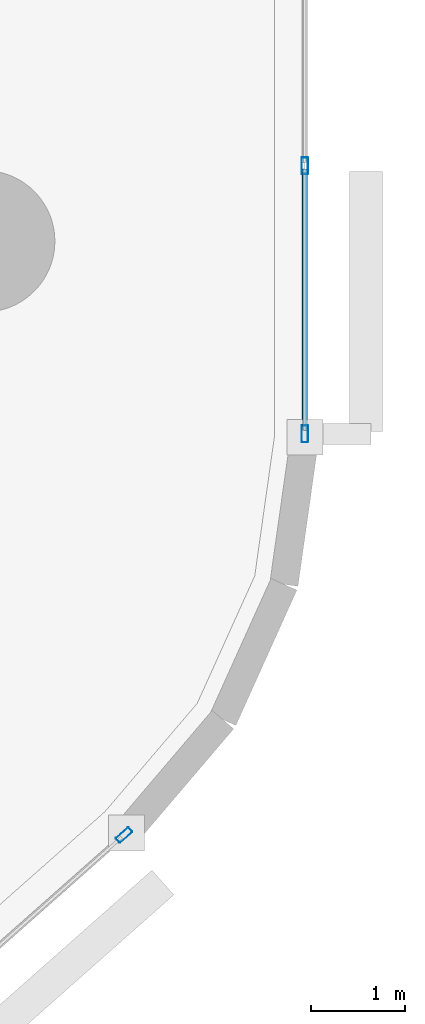
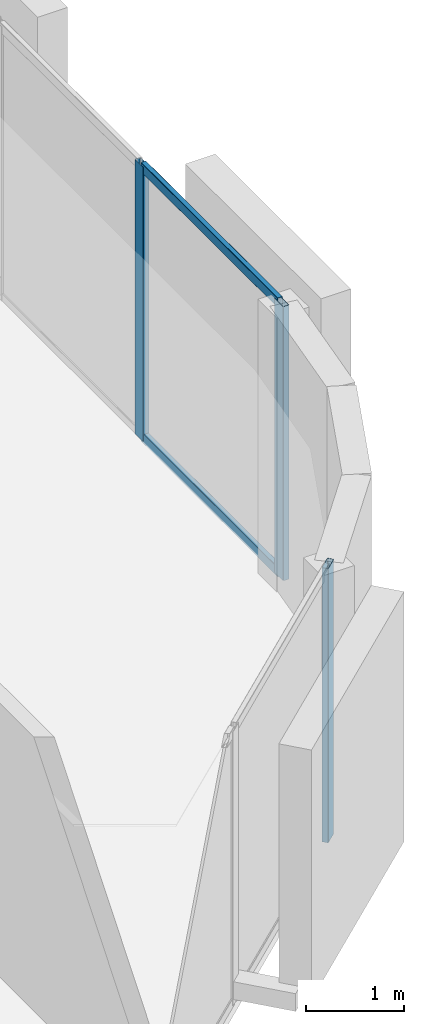
# One storey, part 4 of 15: 5 members, 2 elements without a shape of their own.
"""IFC4 building model written with IfcOpenShell, lengths in metres."""

from ifc_helpers import new_model, si_unit, direction, frame, origin, origin_2d, place, context, subcontext, project, spatial, hollow_rectangle, extrude, material, layer, layer_set, material_profile, profile_set, type_object, element, aggregate, save


model = new_model("IFC4")

# Units and contexts
model_context = context("Model", 3, precision=1e-05, world=origin(), true_north=direction((0.0, 1.0)))
body_context = subcontext(model_context, "Body", "Model", "MODEL_VIEW")
ifc_project = project(units=[si_unit("LENGTHUNIT", "METRE"), si_unit("AREAUNIT", "SQUARE_METRE"), si_unit("VOLUMEUNIT", "CUBIC_METRE"), si_unit("PLANEANGLEUNIT", "RADIAN"), si_unit("MASSUNIT", "GRAM", prefix="KILO")], contexts=[model_context])

# Site, building, storey
site_placement = place(None, origin())
site = spatial("IfcSite", under=ifc_project, at=site_placement, CompositionType="ELEMENT")
building_placement = place(site_placement, origin())
building = spatial("IfcBuilding", under=site, at=building_placement, Name="An Khanh Terracotta Commons", CompositionType="ELEMENT")
storey_placement = place(building_placement, frame((0.0, 0.0, 61.199951171875)))
storey = spatial("IfcBuildingStorey", under=building, at=storey_placement, Name="L16", CompositionType="ELEMENT", Elevation=61.199951171875)

# Curtain wall, member
ifc_material = material(Name="Anodised Aluminium 6063-T6", Category="aluminium")
ifc_layer = layer(ifc_material, 0.199951171875, Name="Anodised Aluminium 6063-T6")
ifc_layer_set = layer_set([ifc_layer], Name="Anodised Aluminium 6063-T6")
curtain_wall_type = type_object("IfcCurtainWallType", Name="CW-SYS-02", PredefinedType="USERDEFINED", material=ifc_layer_set)
curtain_wall_1_placement = place(storey_placement, origin())
curtain_wall_1 = element("IfcCurtainWall", 1, at=curtain_wall_1_placement, inside=storey, type_object=curtain_wall_type, Name="L16 CW-02 Unitised Curtain Wall CW-L16-08", ObjectType="UNITISED CURTAIN WALL", PredefinedType="USERDEFINED")
ifc_material_profile_1 = material_profile(ifc_material, hollow_rectangle(XDim=0.070068359375, YDim=0.179931640625, WallThickness=0.00390625, InnerFilletRadius=0.00390625, OuterFilletRadius=0.008056640625, at=origin_2d()), Name="RHS180x70x4")
ifc_profile_set_1 = profile_set([ifc_material_profile_1], Name="Anodised Aluminium 6063-T6")
member_type_1 = type_object("IfcMemberType", Name="CWM-RHS180x70x4", PredefinedType="MULLION", material=ifc_profile_set_1)
member_1_placement = place(storey_placement, frame((49.683837890625, 9.704833984375, 0.0), z_axis=(0.0, 0.0, 1.0), x_axis=(-0.662548195415, 0.749019284633, 0.0)))
member_1 = element("IfcMember", 2, at=member_1_placement, type_object=member_type_1, Name="CW-02 mullion 4", PredefinedType="MULLION", context=body_context, shape_type="SweptSolid", body=[
    extrude(hollow_rectangle(XDim=0.070068359375, YDim=0.179931640625, WallThickness=0.00390625, InnerFilletRadius=0.00390625, OuterFilletRadius=0.008056640625, at=origin_2d()), origin(), (0.0, 0.0, 1.0), 3.400146484375),
])
aggregate(curtain_wall_1, [member_1])

# Curtain wall, members
curtain_wall_2_placement = place(storey_placement, origin())
curtain_wall_2 = element("IfcCurtainWall", 3, at=curtain_wall_2_placement, inside=storey, type_object=curtain_wall_type, Name="L16 CW-02 Unitised Curtain Wall CW-L16-12", ObjectType="UNITISED CURTAIN WALL", PredefinedType="USERDEFINED")
member_2_placement = place(storey_placement, frame((51.60009765625, 13.9580078125, 0.0), z_axis=(0.0, 0.0, 1.0), x_axis=(-1.0, 0.0, 0.0)))
member_2 = element("IfcMember", 4, at=member_2_placement, type_object=member_type_1, Name="CW-02 mullion 1", PredefinedType="MULLION", context=body_context, shape_type="SweptSolid", body=[
    extrude(hollow_rectangle(XDim=0.070068359375, YDim=0.179931640625, WallThickness=0.00390625, InnerFilletRadius=0.00390625, OuterFilletRadius=0.008056640625, at=origin_2d()), origin(), (0.0, 0.0, 1.0), 3.400146484375),
])
member_3_placement = place(storey_placement, frame((51.60009765625, 16.80224609375, 0.0), z_axis=(0.0, 0.0, 1.0), x_axis=(-1.0, 0.0, 0.0)))
member_3 = element("IfcMember", 5, at=member_3_placement, type_object=member_type_1, Name="CW-02 mullion 2", PredefinedType="MULLION", context=body_context, shape_type="SweptSolid", body=[
    extrude(hollow_rectangle(XDim=0.070068359375, YDim=0.179931640625, WallThickness=0.00390625, InnerFilletRadius=0.00390625, OuterFilletRadius=0.008056640625, at=origin_2d()), origin(), (0.0, 0.0, 1.0), 3.400146484375),
])
ifc_material_profile_2 = material_profile(ifc_material, hollow_rectangle(XDim=0.06005859375, YDim=0.1201171875, WallThickness=0.003662109375, InnerFilletRadius=0.003662109375, OuterFilletRadius=0.007080078125, at=origin_2d()), Name="RHS120x60x3.6")
ifc_profile_set_2 = profile_set([ifc_material_profile_2], Name="Anodised Aluminium 6063-T6")
member_type_2 = type_object("IfcMemberType", Name="CWT-RHS120x60x3.6", PredefinedType="USERDEFINED", material=ifc_profile_set_2)
member_4_placement = place(storey_placement, frame((51.60009765625, 13.992919921875, 0.030029296875), z_axis=(0.0, 1.0, 0.0), x_axis=(-1.0, 0.0, 0.0)))
member_4 = element("IfcMember", 6, at=member_4_placement, type_object=member_type_2, Name="CW-02 transom 1.1", ObjectType="TRANSOM", PredefinedType="USERDEFINED", context=body_context, shape_type="SweptSolid", body=[
    extrude(hollow_rectangle(XDim=0.06005859375, YDim=0.1201171875, WallThickness=0.003662109375, InnerFilletRadius=0.003662109375, OuterFilletRadius=0.007080078125, at=origin_2d()), origin(), (0.0, 0.0, 1.0), 2.774169921875),
])
member_5_placement = place(storey_placement, frame((51.60009765625, 13.992919921875, 3.3701171875), z_axis=(0.0, 1.0, 0.0), x_axis=(-1.0, 0.0, 0.0)))
member_5 = element("IfcMember", 7, at=member_5_placement, type_object=member_type_2, Name="CW-02 transom 1.2", ObjectType="TRANSOM", PredefinedType="USERDEFINED", context=body_context, shape_type="SweptSolid", body=[
    extrude(hollow_rectangle(XDim=0.06005859375, YDim=0.1201171875, WallThickness=0.003662109375, InnerFilletRadius=0.003662109375, OuterFilletRadius=0.007080078125, at=origin_2d()), origin(), (0.0, 0.0, 1.0), 2.774169921875),
])
aggregate(curtain_wall_2, [member_2, member_3, member_4, member_5])

save(model, "model.ifc")
